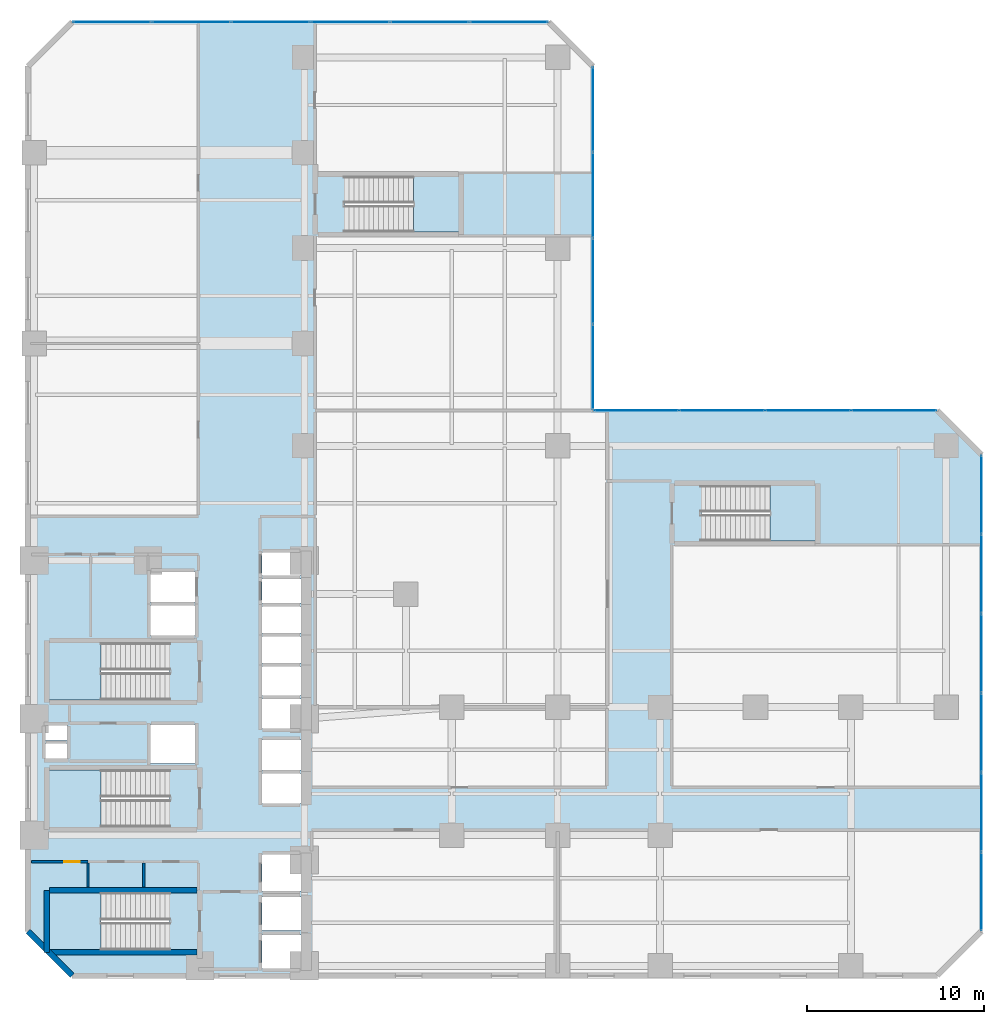
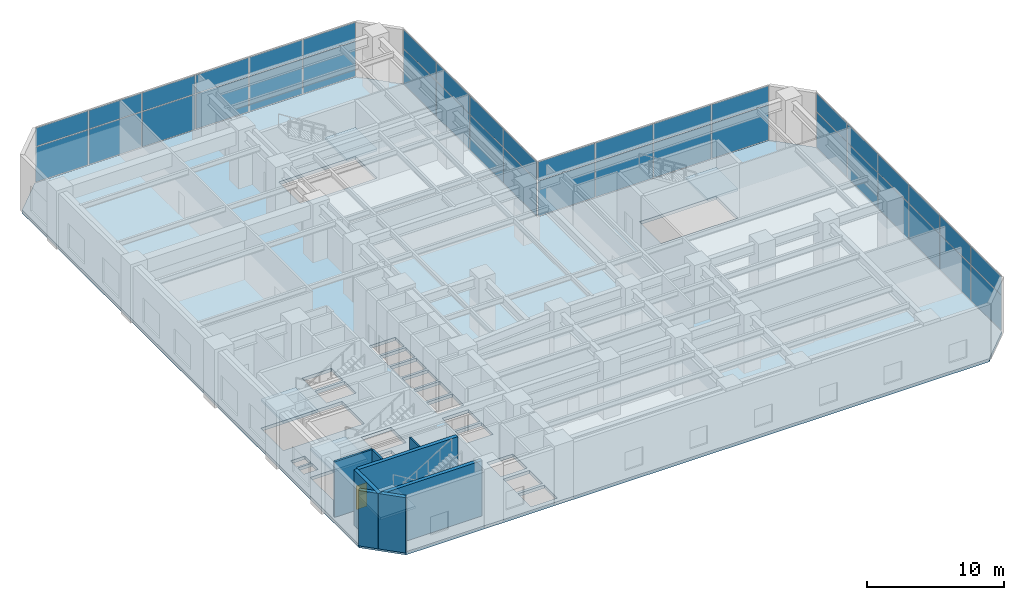
# One storey, part 13 of 22: 40 plates, 7 walls, 6 slabs, 1 door, 1 opening, 9 elements without a shape of their own.
"""IFC4 building model written with IfcOpenShell, lengths in metres."""

from ifc_helpers import new_model, si_unit, direction, frame, frame_2d, origin, origin_2d, place, context, subcontext, project, spatial, polyline, rectangle, outline, extrude, material, layer, layer_set, type_object, element, fill, aggregate, save


model = new_model("IFC4")

# Units and contexts
model_context = context("Model", 3, precision=1e-05, world=origin(), true_north=direction((0.0, 1.0)))
body_context = subcontext(model_context, "Body", "Model", "MODEL_VIEW")
ifc_project = project(units=[si_unit("LENGTHUNIT", "METRE"), si_unit("AREAUNIT", "SQUARE_METRE"), si_unit("VOLUMEUNIT", "CUBIC_METRE"), si_unit("PLANEANGLEUNIT", "RADIAN"), si_unit("MASSUNIT", "GRAM", prefix="KILO")], contexts=[model_context])

# Site, building, storey
site_placement = place(None, origin())
site = spatial("IfcSite", under=ifc_project, at=site_placement, CompositionType="ELEMENT")
building_placement = place(site_placement, origin())
building = spatial("IfcBuilding", under=site, at=building_placement, Name="Mawjaban Terraces University", CompositionType="ELEMENT")
storey_placement = place(building_placement, frame((0.0, 0.0, 5.199951171875)))
storey = spatial("IfcBuildingStorey", under=building, at=storey_placement, Name="L01", CompositionType="ELEMENT", Elevation=5.199951171875)

# Slab
ifc_material_1 = material(Name="Concrete C40/50", Category="concrete")
ifc_layer_1 = layer(ifc_material_1, 0.280029296875)
ifc_layer_set_1 = layer_set([ifc_layer_1], Name="Concrete C40/50")
slab_type_1 = type_object("IfcSlabType", Name="PodiumSlab_280", PredefinedType="FLOOR", material=ifc_layer_set_1)
slab_1_placement = place(storey_placement, frame((0.0, 0.0, -0.280029296875)))
element("IfcSlab", 1, at=slab_1_placement, inside=storey, type_object=slab_type_1, Name="L01 Primary Structural Slab", PredefinedType="FLOOR", context=body_context, shape_type="SweptSolid", body=[
    extrude(outline(polyline([(24.5, 0.0), (73.5, 0.0), (76.0, 2.5), (76.0, 29.5), (73.5, 32.0), (54.0, 32.0), (54.0, 51.5), (51.5, 54.0), (24.5, 54.0), (22.0, 51.5), (22.0, 2.5), (24.5, 0.0)]), holes=[polyline([(30.014892578125, 4.699951171875), (23.199951171875, 4.699951171875), (23.199951171875, 1.449951171875), (30.014892578125, 1.449951171875), (30.014892578125, 4.699951171875)]), polyline([(30.014892578125, 18.85009765625), (23.199951171875, 18.85009765625), (23.199951171875, 15.60009765625), (30.014892578125, 15.60009765625), (30.014892578125, 18.85009765625)]), polyline([(30.014892578125, 11.64990234375), (23.199951171875, 11.64990234375), (23.199951171875, 8.39990234375), (30.014892578125, 8.39990234375), (30.014892578125, 11.64990234375)]), polyline([(39.93505859375, 42.10009765625), (46.39990234375, 42.10009765625), (46.39990234375, 45.25), (39.93505859375, 45.25), (39.93505859375, 42.10009765625)]), polyline([(60.135009765625, 24.60009765625), (66.60009765625, 24.60009765625), (66.60009765625, 27.75), (60.135009765625, 27.75), (60.135009765625, 24.60009765625)]), polyline([(35.25, 0.39990234375), (37.449951171875, 0.39990234375), (37.449951171875, 2.300048828125), (35.25, 2.300048828125), (35.25, 0.39990234375)]), polyline([(35.25, 2.550048828125), (37.449951171875, 2.550048828125), (37.449951171875, 4.449951171875), (35.25, 4.449951171875), (35.25, 2.550048828125)]), polyline([(35.25, 4.800048828125), (37.449951171875, 4.800048828125), (37.449951171875, 6.85009765625), (35.25, 6.85009765625), (35.25, 4.800048828125)]), polyline([(35.25, 9.75), (37.449951171875, 9.75), (37.449951171875, 11.449951171875), (35.25, 11.449951171875), (35.25, 9.75)]), polyline([(35.25, 11.64990234375), (37.449951171875, 11.64990234375), (37.449951171875, 13.35009765625), (35.25, 13.35009765625), (35.25, 11.64990234375)]), polyline([(28.949951171875, 12.0), (31.449951171875, 12.0), (31.449951171875, 14.199951171875), (28.949951171875, 14.199951171875), (28.949951171875, 12.0)]), polyline([(35.25, 14.0), (37.449951171875, 14.0), (37.449951171875, 15.64990234375), (35.25, 15.64990234375), (35.25, 14.0)]), polyline([(35.25, 15.85009765625), (37.449951171875, 15.85009765625), (37.449951171875, 17.5), (35.25, 17.5), (35.25, 15.85009765625)]), polyline([(35.25, 17.699951171875), (37.449951171875, 17.699951171875), (37.449951171875, 19.199951171875), (35.25, 19.199951171875), (35.25, 17.699951171875)]), polyline([(35.25, 19.39990234375), (37.449951171875, 19.39990234375), (37.449951171875, 20.89990234375), (35.25, 20.89990234375), (35.25, 19.39990234375)]), polyline([(28.949951171875, 19.25), (31.449951171875, 19.25), (31.449951171875, 20.949951171875), (28.949951171875, 20.949951171875), (28.949951171875, 19.25)]), polyline([(35.25, 21.10009765625), (37.449951171875, 21.10009765625), (37.449951171875, 22.449951171875), (35.25, 22.449951171875), (35.25, 21.10009765625)]), polyline([(35.25, 22.64990234375), (37.449951171875, 22.64990234375), (37.449951171875, 23.949951171875), (35.25, 23.949951171875), (35.25, 22.64990234375)]), polyline([(28.949951171875, 21.14990234375), (31.449951171875, 21.14990234375), (31.449951171875, 22.85009765625), (28.949951171875, 22.85009765625), (28.949951171875, 21.14990234375)]), polyline([(23.0, 12.25), (24.199951171875, 12.25), (24.199951171875, 13.14990234375), (23.0, 13.14990234375), (23.0, 12.25)]), polyline([(23.0, 13.300048828125), (24.199951171875, 13.300048828125), (24.199951171875, 14.179931640625), (23.0, 14.179931640625), (23.0, 13.300048828125)])]), origin(), (0.0, 0.0, 1.0), 0.280029296875),
])

# Stair, slab
stair_type_1 = type_object("IfcStairType", Name="Stair_Core1550_H52", PredefinedType="HALF_TURN_STAIR", material=ifc_material_1)
stair_1_placement = place(storey_placement, origin())
stair_1 = element("IfcStair", 2, at=stair_1_placement, inside=storey, type_object=stair_type_1, Name="L01 Core Exit Stair 1", PredefinedType="HALF_TURN_STAIR")
ifc_layer_2 = layer(ifc_material_1, 0.199951171875)
ifc_layer_set_2 = layer_set([ifc_layer_2], Name="Concrete C40/50")
slab_type_2 = type_object("IfcSlabType", Name="StairLandingSlab_200", PredefinedType="LANDING", material=ifc_layer_set_2)
slab_2_placement = place(storey_placement, frame((0.0, 0.0, 2.400146484375)))
slab_2 = element("IfcSlab", 3, at=slab_2_placement, type_object=slab_type_2, Name="ST-1 landing 1", PredefinedType="LANDING", context=body_context, shape_type="SweptSolid", body=[
    extrude(outline(polyline([(26.1298828125, 4.699951171875), (23.199951171875, 4.699951171875), (23.199951171875, 1.449951171875), (26.1298828125, 1.449951171875), (26.1298828125, 4.699951171875)])), origin(), (0.0, 0.0, 1.0), 0.199951171875),
])
aggregate(stair_1, [slab_2])

stair_2_placement = place(storey_placement, origin())
stair_2 = element("IfcStair", 4, at=stair_2_placement, inside=storey, type_object=stair_type_1, Name="L01 Core Exit Stair 2", PredefinedType="HALF_TURN_STAIR")
slab_3_placement = place(storey_placement, frame((0.0, 0.0, 2.400146484375)))
slab_3 = element("IfcSlab", 5, at=slab_3_placement, type_object=slab_type_2, Name="ST-2 landing 1", PredefinedType="LANDING", context=body_context, shape_type="SweptSolid", body=[
    extrude(outline(polyline([(26.1298828125, 18.85009765625), (23.199951171875, 18.85009765625), (23.199951171875, 15.60009765625), (26.1298828125, 15.60009765625), (26.1298828125, 18.85009765625)])), origin(), (0.0, 0.0, 1.0), 0.199951171875),
])
aggregate(stair_2, [slab_3])

stair_3_placement = place(storey_placement, origin())
stair_3 = element("IfcStair", 6, at=stair_3_placement, inside=storey, type_object=stair_type_1, Name="L01 Core Exit Stair 3", PredefinedType="HALF_TURN_STAIR")
slab_4_placement = place(storey_placement, frame((0.0, 0.0, 2.400146484375)))
slab_4 = element("IfcSlab", 7, at=slab_4_placement, type_object=slab_type_2, Name="ST-3 landing 1", PredefinedType="LANDING", context=body_context, shape_type="SweptSolid", body=[
    extrude(outline(polyline([(26.1298828125, 11.64990234375), (23.199951171875, 11.64990234375), (23.199951171875, 8.39990234375), (26.1298828125, 8.39990234375), (26.1298828125, 11.64990234375)])), origin(), (0.0, 0.0, 1.0), 0.199951171875),
])
aggregate(stair_3, [slab_4])

stair_type_2 = type_object("IfcStairType", Name="Stair_Pod1500_H52", PredefinedType="HALF_TURN_STAIR", material=ifc_material_1)
stair_4_placement = place(storey_placement, origin())
stair_4 = element("IfcStair", 8, at=stair_4_placement, inside=storey, type_object=stair_type_2, Name="L01 Podium North Exit Stair 4", PredefinedType="HALF_TURN_STAIR")
slab_5_placement = place(storey_placement, frame((0.0, 0.0, 2.400146484375)))
slab_5 = element("IfcSlab", 9, at=slab_5_placement, type_object=slab_type_2, Name="ST-4 landing 1", PredefinedType="LANDING", context=body_context, shape_type="SweptSolid", body=[
    extrude(outline(polyline([(43.820068359375, 42.10009765625), (46.39990234375, 42.10009765625), (46.39990234375, 45.25), (43.820068359375, 45.25), (43.820068359375, 42.10009765625)])), origin(), (0.0, 0.0, 1.0), 0.199951171875),
])
aggregate(stair_4, [slab_5])

stair_5_placement = place(storey_placement, origin())
stair_5 = element("IfcStair", 10, at=stair_5_placement, inside=storey, type_object=stair_type_2, Name="L01 Podium East Exit Stair 5", PredefinedType="HALF_TURN_STAIR")
slab_6_placement = place(storey_placement, frame((0.0, 0.0, 2.400146484375)))
slab_6 = element("IfcSlab", 11, at=slab_6_placement, type_object=slab_type_2, Name="ST-5 landing 1", PredefinedType="LANDING", context=body_context, shape_type="SweptSolid", body=[
    extrude(outline(polyline([(64.02001953125, 24.60009765625), (66.60009765625, 24.60009765625), (66.60009765625, 27.75), (64.02001953125, 27.75), (64.02001953125, 24.60009765625)])), origin(), (0.0, 0.0, 1.0), 0.199951171875),
])
aggregate(stair_5, [slab_6])

# Curtain wall, plates
ifc_material_2 = material(Name="Anodised aluminium 6063-T6 and solar-control low-E glass", Category="aluminium")
ifc_layer_3 = layer(ifc_material_2, 0.179931640625)
ifc_layer_set_3 = layer_set([ifc_layer_3], Name="Anodised aluminium 6063-T6 and solar-control low-E glass")
curtain_wall_type = type_object("IfcCurtainWallType", Name="CWSystem_01_PlazaFoyer", PredefinedType="NOTDEFINED", material=ifc_layer_set_3)
curtain_wall_1_placement = place(storey_placement, origin())
curtain_wall_1 = element("IfcCurtainWall", 12, at=curtain_wall_1_placement, inside=storey, type_object=curtain_wall_type, Name="L01 Curtain Wall CW-01 Run 3.1", PredefinedType="NOTDEFINED")
ifc_material_3 = material(Name="Low-E solar-control double glazing", Category="glass")
ifc_layer_4 = layer(ifc_material_3, 0.031982421875)
ifc_layer_set_4 = layer_set([ifc_layer_4], Name="Low-E solar-control double glazing")
plate_type = type_object("IfcPlateType", Name="VisionPanel_CW-01", PredefinedType="CURTAIN_PANEL", material=ifc_layer_set_4)
plate_1_placement = place(storey_placement, frame((76.0, 4.766357421875, 0.06005859375), z_axis=(0.0, 0.0, 1.0), x_axis=(0.0, 1.0, 0.0)))
plate_1 = element("IfcPlate", 13, at=plate_1_placement, type_object=plate_type, Name="CW-01 panel 1.1", PredefinedType="CURTAIN_PANEL", context=body_context, shape_type="SweptSolid", body=[
    extrude(rectangle(XDim=4.402587890625, YDim=0.028076171875, at=origin_2d()), origin(), (0.0, 0.0, 1.0), 3.10791015625),
])
plate_2_placement = place(storey_placement, frame((76.0, 4.766357421875, 3.22802734375), z_axis=(0.0, 0.0, 1.0), x_axis=(0.0, 1.0, 0.0)))
plate_2 = element("IfcPlate", 14, at=plate_2_placement, type_object=plate_type, Name="CW-01 panel 1.2", PredefinedType="CURTAIN_PANEL", context=body_context, shape_type="SweptSolid", body=[
    extrude(rectangle(XDim=4.402587890625, YDim=0.028076171875, at=origin_2d()), origin(), (0.0, 0.0, 1.0), 1.632080078125),
])
plate_3_placement = place(storey_placement, frame((76.0, 9.25, 0.06005859375), z_axis=(0.0, 0.0, 1.0), x_axis=(0.0, 1.0, 0.0)))
plate_3 = element("IfcPlate", 15, at=plate_3_placement, type_object=plate_type, Name="CW-01 panel 2.1", PredefinedType="CURTAIN_PANEL", context=body_context, shape_type="SweptSolid", body=[
    extrude(rectangle(XDim=4.43505859375, YDim=0.028076171875, at=origin_2d()), origin(), (0.0, 0.0, 1.0), 3.10791015625),
])
plate_4_placement = place(storey_placement, frame((76.0, 9.25, 3.22802734375), z_axis=(0.0, 0.0, 1.0), x_axis=(0.0, 1.0, 0.0)))
plate_4 = element("IfcPlate", 16, at=plate_4_placement, type_object=plate_type, Name="CW-01 panel 2.2", PredefinedType="CURTAIN_PANEL", context=body_context, shape_type="SweptSolid", body=[
    extrude(rectangle(XDim=4.43505859375, YDim=0.028076171875, at=origin_2d()), origin(), (0.0, 0.0, 1.0), 1.632080078125),
])
plate_5_placement = place(storey_placement, frame((76.0, 13.75, 0.06005859375), z_axis=(0.0, 0.0, 1.0), x_axis=(0.0, 1.0, 0.0)))
plate_5 = element("IfcPlate", 17, at=plate_5_placement, type_object=plate_type, Name="CW-01 panel 3.1", PredefinedType="CURTAIN_PANEL", context=body_context, shape_type="SweptSolid", body=[
    extrude(rectangle(XDim=4.43505859375, YDim=0.028076171875, at=origin_2d()), origin(), (0.0, 0.0, 1.0), 3.10791015625),
])
plate_6_placement = place(storey_placement, frame((76.0, 13.75, 3.22802734375), z_axis=(0.0, 0.0, 1.0), x_axis=(0.0, 1.0, 0.0)))
plate_6 = element("IfcPlate", 18, at=plate_6_placement, type_object=plate_type, Name="CW-01 panel 3.2", PredefinedType="CURTAIN_PANEL", context=body_context, shape_type="SweptSolid", body=[
    extrude(rectangle(XDim=4.43505859375, YDim=0.028076171875, at=origin_2d()), origin(), (0.0, 0.0, 1.0), 1.632080078125),
])
plate_7_placement = place(storey_placement, frame((76.0, 18.25, 0.06005859375), z_axis=(0.0, 0.0, 1.0), x_axis=(0.0, 1.0, 0.0)))
plate_7 = element("IfcPlate", 19, at=plate_7_placement, type_object=plate_type, Name="CW-01 panel 4.1", PredefinedType="CURTAIN_PANEL", context=body_context, shape_type="SweptSolid", body=[
    extrude(rectangle(XDim=4.43505859375, YDim=0.028076171875, at=origin_2d()), origin(), (0.0, 0.0, 1.0), 3.10791015625),
])
plate_8_placement = place(storey_placement, frame((76.0, 18.25, 3.22802734375), z_axis=(0.0, 0.0, 1.0), x_axis=(0.0, 1.0, 0.0)))
plate_8 = element("IfcPlate", 20, at=plate_8_placement, type_object=plate_type, Name="CW-01 panel 4.2", PredefinedType="CURTAIN_PANEL", context=body_context, shape_type="SweptSolid", body=[
    extrude(rectangle(XDim=4.43505859375, YDim=0.028076171875, at=origin_2d()), origin(), (0.0, 0.0, 1.0), 1.632080078125),
])
plate_9_placement = place(storey_placement, frame((76.0, 22.75, 0.06005859375), z_axis=(0.0, 0.0, 1.0), x_axis=(0.0, 1.0, 0.0)))
plate_9 = element("IfcPlate", 21, at=plate_9_placement, type_object=plate_type, Name="CW-01 panel 5.1", PredefinedType="CURTAIN_PANEL", context=body_context, shape_type="SweptSolid", body=[
    extrude(rectangle(XDim=4.43505859375, YDim=0.028076171875, at=origin_2d()), origin(), (0.0, 0.0, 1.0), 3.10791015625),
])
plate_10_placement = place(storey_placement, frame((76.0, 22.75, 3.22802734375), z_axis=(0.0, 0.0, 1.0), x_axis=(0.0, 1.0, 0.0)))
plate_10 = element("IfcPlate", 22, at=plate_10_placement, type_object=plate_type, Name="CW-01 panel 5.2", PredefinedType="CURTAIN_PANEL", context=body_context, shape_type="SweptSolid", body=[
    extrude(rectangle(XDim=4.43505859375, YDim=0.028076171875, at=origin_2d()), origin(), (0.0, 0.0, 1.0), 1.632080078125),
])
plate_11_placement = place(storey_placement, frame((76.0, 27.233642578125, 0.06005859375), z_axis=(0.0, 0.0, 1.0), x_axis=(0.0, 1.0, 0.0)))
plate_11 = element("IfcPlate", 23, at=plate_11_placement, type_object=plate_type, Name="CW-01 panel 6.1", PredefinedType="CURTAIN_PANEL", context=body_context, shape_type="SweptSolid", body=[
    extrude(rectangle(XDim=4.402587890625, YDim=0.028076171875, at=origin_2d()), origin(), (0.0, 0.0, 1.0), 3.10791015625),
])
plate_12_placement = place(storey_placement, frame((76.0, 27.233642578125, 3.22802734375), z_axis=(0.0, 0.0, 1.0), x_axis=(0.0, 1.0, 0.0)))
plate_12 = element("IfcPlate", 24, at=plate_12_placement, type_object=plate_type, Name="CW-01 panel 6.2", PredefinedType="CURTAIN_PANEL", context=body_context, shape_type="SweptSolid", body=[
    extrude(rectangle(XDim=4.402587890625, YDim=0.028076171875, at=origin_2d()), origin(), (0.0, 0.0, 1.0), 1.632080078125),
])
aggregate(curtain_wall_1, [plate_1, plate_2, plate_3, plate_4, plate_5, plate_6, plate_7, plate_8, plate_9, plate_10, plate_11, plate_12])

curtain_wall_2_placement = place(storey_placement, origin())
curtain_wall_2 = element("IfcCurtainWall", 25, at=curtain_wall_2_placement, inside=storey, type_object=curtain_wall_type, Name="L01 Curtain Wall CW-01 Run 5.1", PredefinedType="NOTDEFINED")
plate_13_placement = place(storey_placement, frame((71.046142578125, 32.0, 0.06005859375), z_axis=(0.0, 0.0, 1.0), x_axis=(-1.0, 0.0, 0.0)))
plate_13 = element("IfcPlate", 26, at=plate_13_placement, type_object=plate_type, Name="CW-01 panel 1.1", PredefinedType="CURTAIN_PANEL", context=body_context, shape_type="SweptSolid", body=[
    extrude(rectangle(XDim=4.777587890625, YDim=0.028076171875, at=origin_2d()), origin(), (0.0, 0.0, 1.0), 3.10791015625),
])
plate_14_placement = place(storey_placement, frame((71.046142578125, 32.0, 3.22802734375), z_axis=(0.0, 0.0, 1.0), x_axis=(-1.0, 0.0, 0.0)))
plate_14 = element("IfcPlate", 27, at=plate_14_placement, type_object=plate_type, Name="CW-01 panel 1.2", PredefinedType="CURTAIN_PANEL", context=body_context, shape_type="SweptSolid", body=[
    extrude(rectangle(XDim=4.777587890625, YDim=0.028076171875, at=origin_2d()), origin(), (0.0, 0.0, 1.0), 1.632080078125),
])
plate_15_placement = place(storey_placement, frame((66.1875, 32.0, 0.06005859375), z_axis=(0.0, 0.0, 1.0), x_axis=(-1.0, 0.0, 0.0)))
plate_15 = element("IfcPlate", 28, at=plate_15_placement, type_object=plate_type, Name="CW-01 panel 2.1", PredefinedType="CURTAIN_PANEL", context=body_context, shape_type="SweptSolid", body=[
    extrude(rectangle(XDim=4.81005859375, YDim=0.028076171875, at=origin_2d()), origin(), (0.0, 0.0, 1.0), 3.10791015625),
])
plate_16_placement = place(storey_placement, frame((66.1875, 32.0, 3.22802734375), z_axis=(0.0, 0.0, 1.0), x_axis=(-1.0, 0.0, 0.0)))
plate_16 = element("IfcPlate", 29, at=plate_16_placement, type_object=plate_type, Name="CW-01 panel 2.2", PredefinedType="CURTAIN_PANEL", context=body_context, shape_type="SweptSolid", body=[
    extrude(rectangle(XDim=4.81005859375, YDim=0.028076171875, at=origin_2d()), origin(), (0.0, 0.0, 1.0), 1.632080078125),
])
plate_17_placement = place(storey_placement, frame((61.3125, 32.0, 0.06005859375), z_axis=(0.0, 0.0, 1.0), x_axis=(-1.0, 0.0, 0.0)))
plate_17 = element("IfcPlate", 30, at=plate_17_placement, type_object=plate_type, Name="CW-01 panel 3.1", PredefinedType="CURTAIN_PANEL", context=body_context, shape_type="SweptSolid", body=[
    extrude(rectangle(XDim=4.81005859375, YDim=0.028076171875, at=origin_2d()), origin(), (0.0, 0.0, 1.0), 3.10791015625),
])
plate_18_placement = place(storey_placement, frame((61.3125, 32.0, 3.22802734375), z_axis=(0.0, 0.0, 1.0), x_axis=(-1.0, 0.0, 0.0)))
plate_18 = element("IfcPlate", 31, at=plate_18_placement, type_object=plate_type, Name="CW-01 panel 3.2", PredefinedType="CURTAIN_PANEL", context=body_context, shape_type="SweptSolid", body=[
    extrude(rectangle(XDim=4.81005859375, YDim=0.028076171875, at=origin_2d()), origin(), (0.0, 0.0, 1.0), 1.632080078125),
])
plate_19_placement = place(storey_placement, frame((56.453857421875, 32.0, 0.06005859375), z_axis=(0.0, 0.0, 1.0), x_axis=(-1.0, 0.0, 0.0)))
plate_19 = element("IfcPlate", 32, at=plate_19_placement, type_object=plate_type, Name="CW-01 panel 4.1", PredefinedType="CURTAIN_PANEL", context=body_context, shape_type="SweptSolid", body=[
    extrude(rectangle(XDim=4.777587890625, YDim=0.028076171875, at=origin_2d()), origin(), (0.0, 0.0, 1.0), 3.10791015625),
])
plate_20_placement = place(storey_placement, frame((56.453857421875, 32.0, 3.22802734375), z_axis=(0.0, 0.0, 1.0), x_axis=(-1.0, 0.0, 0.0)))
plate_20 = element("IfcPlate", 33, at=plate_20_placement, type_object=plate_type, Name="CW-01 panel 4.2", PredefinedType="CURTAIN_PANEL", context=body_context, shape_type="SweptSolid", body=[
    extrude(rectangle(XDim=4.777587890625, YDim=0.028076171875, at=origin_2d()), origin(), (0.0, 0.0, 1.0), 1.632080078125),
])
aggregate(curtain_wall_2, [plate_13, plate_14, plate_15, plate_16, plate_17, plate_18, plate_19, plate_20])

curtain_wall_3_placement = place(storey_placement, origin())
curtain_wall_3 = element("IfcCurtainWall", 34, at=curtain_wall_3_placement, inside=storey, type_object=curtain_wall_type, Name="L01 Curtain Wall CW-01 Run 6.1", PredefinedType="NOTDEFINED")
plate_21_placement = place(storey_placement, frame((54.0, 34.453857421875, 0.06005859375), z_axis=(0.0, 0.0, 1.0), x_axis=(0.0, 1.0, 0.0)))
plate_21 = element("IfcPlate", 35, at=plate_21_placement, type_object=plate_type, Name="CW-01 panel 1.1", PredefinedType="CURTAIN_PANEL", context=body_context, shape_type="SweptSolid", body=[
    extrude(rectangle(XDim=4.777587890625, YDim=0.028076171875, at=origin_2d()), origin(), (0.0, 0.0, 1.0), 3.10791015625),
])
plate_22_placement = place(storey_placement, frame((54.0, 34.453857421875, 3.22802734375), z_axis=(0.0, 0.0, 1.0), x_axis=(0.0, 1.0, 0.0)))
plate_22 = element("IfcPlate", 36, at=plate_22_placement, type_object=plate_type, Name="CW-01 panel 1.2", PredefinedType="CURTAIN_PANEL", context=body_context, shape_type="SweptSolid", body=[
    extrude(rectangle(XDim=4.777587890625, YDim=0.028076171875, at=origin_2d()), origin(), (0.0, 0.0, 1.0), 1.632080078125),
])
plate_23_placement = place(storey_placement, frame((54.0, 39.3125, 0.06005859375), z_axis=(0.0, 0.0, 1.0), x_axis=(0.0, 1.0, 0.0)))
plate_23 = element("IfcPlate", 37, at=plate_23_placement, type_object=plate_type, Name="CW-01 panel 2.1", PredefinedType="CURTAIN_PANEL", context=body_context, shape_type="SweptSolid", body=[
    extrude(rectangle(XDim=4.81005859375, YDim=0.028076171875, at=origin_2d()), origin(), (0.0, 0.0, 1.0), 3.10791015625),
])
plate_24_placement = place(storey_placement, frame((54.0, 39.3125, 3.22802734375), z_axis=(0.0, 0.0, 1.0), x_axis=(0.0, 1.0, 0.0)))
plate_24 = element("IfcPlate", 38, at=plate_24_placement, type_object=plate_type, Name="CW-01 panel 2.2", PredefinedType="CURTAIN_PANEL", context=body_context, shape_type="SweptSolid", body=[
    extrude(rectangle(XDim=4.81005859375, YDim=0.028076171875, at=origin_2d()), origin(), (0.0, 0.0, 1.0), 1.632080078125),
])
plate_25_placement = place(storey_placement, frame((54.0, 44.1875, 0.06005859375), z_axis=(0.0, 0.0, 1.0), x_axis=(0.0, 1.0, 0.0)))
plate_25 = element("IfcPlate", 39, at=plate_25_placement, type_object=plate_type, Name="CW-01 panel 3.1", PredefinedType="CURTAIN_PANEL", context=body_context, shape_type="SweptSolid", body=[
    extrude(rectangle(XDim=4.81005859375, YDim=0.028076171875, at=origin_2d()), origin(), (0.0, 0.0, 1.0), 3.10791015625),
])
plate_26_placement = place(storey_placement, frame((54.0, 44.1875, 3.22802734375), z_axis=(0.0, 0.0, 1.0), x_axis=(0.0, 1.0, 0.0)))
plate_26 = element("IfcPlate", 40, at=plate_26_placement, type_object=plate_type, Name="CW-01 panel 3.2", PredefinedType="CURTAIN_PANEL", context=body_context, shape_type="SweptSolid", body=[
    extrude(rectangle(XDim=4.81005859375, YDim=0.028076171875, at=origin_2d()), origin(), (0.0, 0.0, 1.0), 1.632080078125),
])
plate_27_placement = place(storey_placement, frame((54.0, 49.046142578125, 0.06005859375), z_axis=(0.0, 0.0, 1.0), x_axis=(0.0, 1.0, 0.0)))
plate_27 = element("IfcPlate", 41, at=plate_27_placement, type_object=plate_type, Name="CW-01 panel 4.1", PredefinedType="CURTAIN_PANEL", context=body_context, shape_type="SweptSolid", body=[
    extrude(rectangle(XDim=4.777587890625, YDim=0.028076171875, at=origin_2d()), origin(), (0.0, 0.0, 1.0), 3.10791015625),
])
plate_28_placement = place(storey_placement, frame((54.0, 49.046142578125, 3.22802734375), z_axis=(0.0, 0.0, 1.0), x_axis=(0.0, 1.0, 0.0)))
plate_28 = element("IfcPlate", 42, at=plate_28_placement, type_object=plate_type, Name="CW-01 panel 4.2", PredefinedType="CURTAIN_PANEL", context=body_context, shape_type="SweptSolid", body=[
    extrude(rectangle(XDim=4.777587890625, YDim=0.028076171875, at=origin_2d()), origin(), (0.0, 0.0, 1.0), 1.632080078125),
])
aggregate(curtain_wall_3, [plate_21, plate_22, plate_23, plate_24, plate_25, plate_26, plate_27, plate_28])

curtain_wall_4_placement = place(storey_placement, origin())
curtain_wall_4 = element("IfcCurtainWall", 43, at=curtain_wall_4_placement, inside=storey, type_object=curtain_wall_type, Name="L01 Curtain Wall CW-01 Run 8.1", PredefinedType="NOTDEFINED")
plate_29_placement = place(storey_placement, frame((49.233642578125, 54.0, 0.06005859375), z_axis=(0.0, 0.0, 1.0), x_axis=(-1.0, 0.0, 0.0)))
plate_29 = element("IfcPlate", 44, at=plate_29_placement, type_object=plate_type, Name="CW-01 panel 1.1", PredefinedType="CURTAIN_PANEL", context=body_context, shape_type="SweptSolid", body=[
    extrude(rectangle(XDim=4.402587890625, YDim=0.028076171875, at=origin_2d()), origin(), (0.0, 0.0, 1.0), 3.10791015625),
])
plate_30_placement = place(storey_placement, frame((49.233642578125, 54.0, 3.22802734375), z_axis=(0.0, 0.0, 1.0), x_axis=(-1.0, 0.0, 0.0)))
plate_30 = element("IfcPlate", 45, at=plate_30_placement, type_object=plate_type, Name="CW-01 panel 1.2", PredefinedType="CURTAIN_PANEL", context=body_context, shape_type="SweptSolid", body=[
    extrude(rectangle(XDim=4.402587890625, YDim=0.028076171875, at=origin_2d()), origin(), (0.0, 0.0, 1.0), 1.632080078125),
])
plate_31_placement = place(storey_placement, frame((44.75, 54.0, 0.06005859375), z_axis=(0.0, 0.0, 1.0), x_axis=(-1.0, 0.0, 0.0)))
plate_31 = element("IfcPlate", 46, at=plate_31_placement, type_object=plate_type, Name="CW-01 panel 2.1", PredefinedType="CURTAIN_PANEL", context=body_context, shape_type="SweptSolid", body=[
    extrude(rectangle(XDim=4.43505859375, YDim=0.028076171875, at=origin_2d()), origin(), (0.0, 0.0, 1.0), 3.10791015625),
])
plate_32_placement = place(storey_placement, frame((44.75, 54.0, 3.22802734375), z_axis=(0.0, 0.0, 1.0), x_axis=(-1.0, 0.0, 0.0)))
plate_32 = element("IfcPlate", 47, at=plate_32_placement, type_object=plate_type, Name="CW-01 panel 2.2", PredefinedType="CURTAIN_PANEL", context=body_context, shape_type="SweptSolid", body=[
    extrude(rectangle(XDim=4.43505859375, YDim=0.028076171875, at=origin_2d()), origin(), (0.0, 0.0, 1.0), 1.632080078125),
])
plate_33_placement = place(storey_placement, frame((40.25, 54.0, 0.06005859375), z_axis=(0.0, 0.0, 1.0), x_axis=(-1.0, 0.0, 0.0)))
plate_33 = element("IfcPlate", 48, at=plate_33_placement, type_object=plate_type, Name="CW-01 panel 3.1", PredefinedType="CURTAIN_PANEL", context=body_context, shape_type="SweptSolid", body=[
    extrude(rectangle(XDim=4.43505859375, YDim=0.028076171875, at=origin_2d()), origin(), (0.0, 0.0, 1.0), 3.10791015625),
])
plate_34_placement = place(storey_placement, frame((40.25, 54.0, 3.22802734375), z_axis=(0.0, 0.0, 1.0), x_axis=(-1.0, 0.0, 0.0)))
plate_34 = element("IfcPlate", 49, at=plate_34_placement, type_object=plate_type, Name="CW-01 panel 3.2", PredefinedType="CURTAIN_PANEL", context=body_context, shape_type="SweptSolid", body=[
    extrude(rectangle(XDim=4.43505859375, YDim=0.028076171875, at=origin_2d()), origin(), (0.0, 0.0, 1.0), 1.632080078125),
])
plate_35_placement = place(storey_placement, frame((35.75, 54.0, 0.06005859375), z_axis=(0.0, 0.0, 1.0), x_axis=(-1.0, 0.0, 0.0)))
plate_35 = element("IfcPlate", 50, at=plate_35_placement, type_object=plate_type, Name="CW-01 panel 4.1", PredefinedType="CURTAIN_PANEL", context=body_context, shape_type="SweptSolid", body=[
    extrude(rectangle(XDim=4.43505859375, YDim=0.028076171875, at=origin_2d()), origin(), (0.0, 0.0, 1.0), 3.10791015625),
])
plate_36_placement = place(storey_placement, frame((35.75, 54.0, 3.22802734375), z_axis=(0.0, 0.0, 1.0), x_axis=(-1.0, 0.0, 0.0)))
plate_36 = element("IfcPlate", 51, at=plate_36_placement, type_object=plate_type, Name="CW-01 panel 4.2", PredefinedType="CURTAIN_PANEL", context=body_context, shape_type="SweptSolid", body=[
    extrude(rectangle(XDim=4.43505859375, YDim=0.028076171875, at=origin_2d()), origin(), (0.0, 0.0, 1.0), 1.632080078125),
])
plate_37_placement = place(storey_placement, frame((31.25, 54.0, 0.06005859375), z_axis=(0.0, 0.0, 1.0), x_axis=(-1.0, 0.0, 0.0)))
plate_37 = element("IfcPlate", 52, at=plate_37_placement, type_object=plate_type, Name="CW-01 panel 5.1", PredefinedType="CURTAIN_PANEL", context=body_context, shape_type="SweptSolid", body=[
    extrude(rectangle(XDim=4.43505859375, YDim=0.028076171875, at=origin_2d()), origin(), (0.0, 0.0, 1.0), 3.10791015625),
])
plate_38_placement = place(storey_placement, frame((31.25, 54.0, 3.22802734375), z_axis=(0.0, 0.0, 1.0), x_axis=(-1.0, 0.0, 0.0)))
plate_38 = element("IfcPlate", 53, at=plate_38_placement, type_object=plate_type, Name="CW-01 panel 5.2", PredefinedType="CURTAIN_PANEL", context=body_context, shape_type="SweptSolid", body=[
    extrude(rectangle(XDim=4.43505859375, YDim=0.028076171875, at=origin_2d()), origin(), (0.0, 0.0, 1.0), 1.632080078125),
])
plate_39_placement = place(storey_placement, frame((26.766357421875, 54.0, 0.06005859375), z_axis=(0.0, 0.0, 1.0), x_axis=(-1.0, 0.0, 0.0)))
plate_39 = element("IfcPlate", 54, at=plate_39_placement, type_object=plate_type, Name="CW-01 panel 6.1", PredefinedType="CURTAIN_PANEL", context=body_context, shape_type="SweptSolid", body=[
    extrude(rectangle(XDim=4.402587890625, YDim=0.028076171875, at=origin_2d()), origin(), (0.0, 0.0, 1.0), 3.10791015625),
])
plate_40_placement = place(storey_placement, frame((26.766357421875, 54.0, 3.22802734375), z_axis=(0.0, 0.0, 1.0), x_axis=(-1.0, 0.0, 0.0)))
plate_40 = element("IfcPlate", 55, at=plate_40_placement, type_object=plate_type, Name="CW-01 panel 6.2", PredefinedType="CURTAIN_PANEL", context=body_context, shape_type="SweptSolid", body=[
    extrude(rectangle(XDim=4.402587890625, YDim=0.028076171875, at=origin_2d()), origin(), (0.0, 0.0, 1.0), 1.632080078125),
])
aggregate(curtain_wall_4, [plate_29, plate_30, plate_31, plate_32, plate_33, plate_34, plate_35, plate_36, plate_37, plate_38, plate_39, plate_40])

# Wall, opening, door
ifc_material_4 = material(Name="Fire-rated gypsum board on steel stud", Category="steel")
ifc_layer_5 = layer(ifc_material_4, 0.159912109375)
ifc_layer_set_5 = layer_set([ifc_layer_5], Name="Fire-rated gypsum board on steel stud")
wall_type_1 = type_object("IfcWallType", Name="CorridorPartition_160", PredefinedType="PARTITIONING", material=ifc_layer_set_5)
wall_1_placement = place(storey_placement, frame((22.199951171875, 6.449951171875, 0.0), z_axis=(0.0, 0.0, 1.0), x_axis=(1.0, 0.0, 0.0)))
wall_1 = element("IfcWall", 56, at=wall_1_placement, inside=storey, type_object=wall_type_1, Name="L01 Core Washroom Lobby Partition 1", PredefinedType="PARTITIONING", context=body_context, shape_type="SweptSolid", body=[
    extrude(rectangle(XDim=3.199951171875, YDim=0.159912109375, at=frame_2d((1.60009765625, 0.0))), origin(), (0.0, 0.0, 1.0), 4.920166015625),
])
opening_placement = place(wall_1_placement, frame((1.860107421875, 0.0, 0.0)))
opening = element("IfcOpeningElement", 57, at=opening_placement, cuts=wall_1, Name="Opening ID-088", PredefinedType="OPENING", context=body_context, shape_type="SweptSolid", body=[
    extrude(rectangle(XDim=0.8798828125, YDim=2.10009765625, at=frame_2d((0.43994140625, 1.050048828125))), frame((0.0, 0.08984375, 0.0), z_axis=(0.0, -1.0, 0.0), x_axis=(1.0, 0.0, 0.0)), (0.0, 0.0, 1.0), 0.179931640625),
])
ifc_material_5 = material(Name="Powder-coated steel frame and solid acoustic timber leaf", Category="steel")
door_type = type_object("IfcDoorType", Name="ToiletDoor_880x2100", OperationType="NOTDEFINED", PredefinedType="DOOR", material=ifc_material_5)
door_placement = place(opening_placement, origin())
door = element("IfcDoor", 58, at=door_placement, inside=storey, type_object=door_type, Name="L01 Male Toilet Door", OperationType="SINGLE_SWING_LEFT", OverallHeight=2.10009765625, OverallWidth=0.8798828125, PredefinedType="DOOR", context=body_context, shape_type="SweptSolid", body=[
    extrude(rectangle(XDim=0.8798828125, YDim=2.10009765625, at=frame_2d((0.43994140625, 1.050048828125))), frame((0.0, 0.02490234375, 0.0), z_axis=(0.0, -1.0, 0.0), x_axis=(1.0, 0.0, 0.0)), (0.0, 0.0, 1.0), 0.050048828125),
])
fill(opening, door)

# Walls
ifc_material_6 = material(Name="Insulated terracotta rainscreen on concrete backup C40/50", Category="masonry")
ifc_layer_6 = layer(ifc_material_6, 0.320068359375)
ifc_layer_set_6 = layer_set([ifc_layer_6], Name="Insulated terracotta rainscreen on concrete backup C40/50")
wall_type_2 = type_object("IfcWallType", Name="ExtTerracottaWall_320", PredefinedType="SOLIDWALL", material=ifc_layer_set_6)
wall_2_placement = place(storey_placement, frame((22.0, 2.5, 0.0), z_axis=(0.0, 0.0, 1.0), x_axis=(0.707106781187, -0.707106781187, 0.0)))
element("IfcWall", 59, at=wall_2_placement, inside=storey, type_object=wall_type_2, Name="L01 Exterior Terracotta Wall 11", PredefinedType="SOLIDWALL", context=body_context, shape_type="SweptSolid", body=[
    extrude(rectangle(XDim=3.53564453125, YDim=0.320068359375, at=frame_2d((1.767822265625, 0.0))), origin(), (0.0, 0.0, 1.0), 4.920166015625),
])
ifc_material_7 = material(Name="Concrete C60/75", Category="concrete")
ifc_layer_7 = layer(ifc_material_7, 0.300048828125)
ifc_layer_set_7 = layer_set([ifc_layer_7], Name="Concrete C60/75")
wall_type_3 = type_object("IfcWallType", Name="StairShaftWall_300", PredefinedType="SHEAR", material=ifc_layer_set_7)
wall_3_placement = place(storey_placement, frame((31.580078125, 4.830078125, 0.0), z_axis=(0.0, 0.0, 1.0), x_axis=(-1.0, 0.0, 0.0)))
element("IfcWall", 60, at=wall_3_placement, inside=storey, type_object=wall_type_3, Name="L01 ST-1 Stair Shaft Wall 1", PredefinedType="SHEAR", context=body_context, shape_type="SweptSolid", body=[
    extrude(rectangle(XDim=8.360107421875, YDim=0.300048828125, at=frame_2d((4.18017578125, 0.0))), origin(), (0.0, 0.0, 1.0), 4.920166015625),
])
wall_4_placement = place(storey_placement, frame((23.070068359375, 4.830078125, 0.0), z_axis=(0.0, 0.0, 1.0), x_axis=(0.0, -1.0, 0.0)))
element("IfcWall", 61, at=wall_4_placement, inside=storey, type_object=wall_type_3, Name="L01 ST-1 Stair Shaft Wall 2", PredefinedType="SHEAR", context=body_context, shape_type="SweptSolid", body=[
    extrude(rectangle(XDim=3.510009765625, YDim=0.300048828125, at=frame_2d((1.7548828125, 0.0))), origin(), (0.0, 0.0, 1.0), 4.920166015625),
])
wall_5_placement = place(storey_placement, frame((23.219970703125, 1.320068359375, 0.0), z_axis=(0.0, 0.0, 1.0), x_axis=(1.0, 0.0, 0.0)))
element("IfcWall", 62, at=wall_5_placement, inside=storey, type_object=wall_type_3, Name="L01 ST-1 Stair Shaft Wall 3", PredefinedType="SHEAR", context=body_context, shape_type="SweptSolid", body=[
    extrude(rectangle(XDim=8.360107421875, YDim=0.300048828125, at=frame_2d((4.18017578125, 0.0))), origin(), (0.0, 0.0, 1.0), 4.920166015625),
])
ifc_material_8 = material(Name="Cement-board wet-room partition", Category="masonry")
ifc_layer_8 = layer(ifc_material_8, 0.135009765625)
ifc_layer_set_8 = layer_set([ifc_layer_8], Name="Cement-board wet-room partition")
wall_type_4 = type_object("IfcWallType", Name="WetRoomPartition_135", PredefinedType="PARTITIONING", material=ifc_layer_set_8)
for number, where, z_axis, x_axis, name in (
    (63, (25.39990234375, 5.010009765625, 0.0), (0.0, 0.0, 1.0), (0.0, 1.0, 0.0), "L01 Male Toilet Partition 25"),
    (64, (28.550048828125, 5.010009765625, 0.0), (0.0, 0.0, 1.0), (0.0, 1.0, 0.0), "L01 Female Toilet Partition 27"),
):
    element("IfcWall", number, at=place(storey_placement, frame(where, z_axis=z_axis, x_axis=x_axis)), inside=storey, type_object=wall_type_4, Name=name, PredefinedType="PARTITIONING", context=body_context, shape_type="SweptSolid", body=[
        extrude(rectangle(XDim=1.364990234375, YDim=0.135009765625, at=frame_2d((0.6826171875, 0.0))), origin(), (0.0, 0.0, 1.0), 4.920166015625),
    ])

save(model, "model.ifc")
